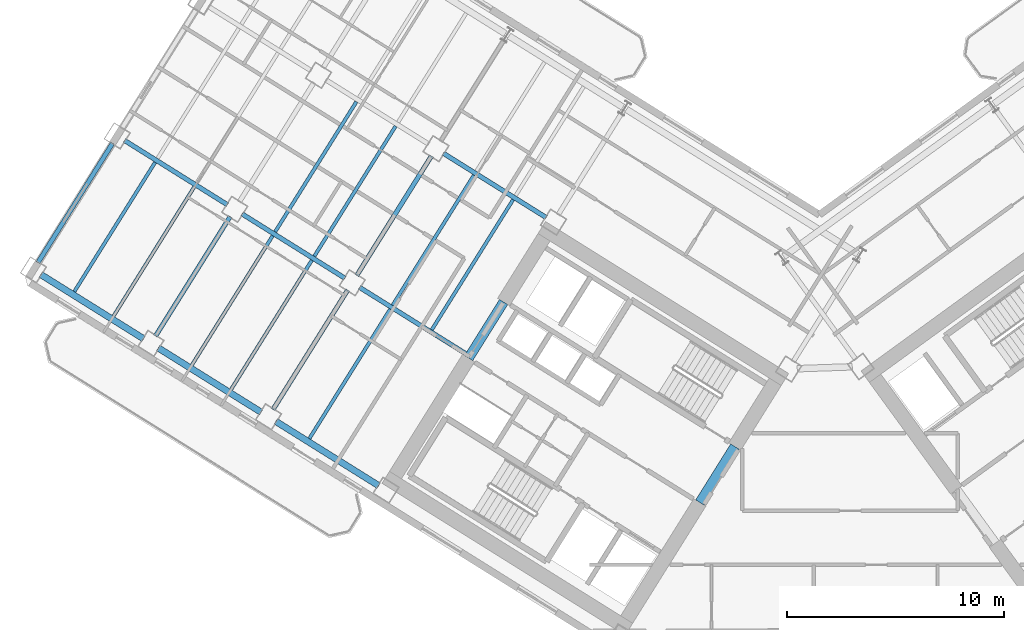
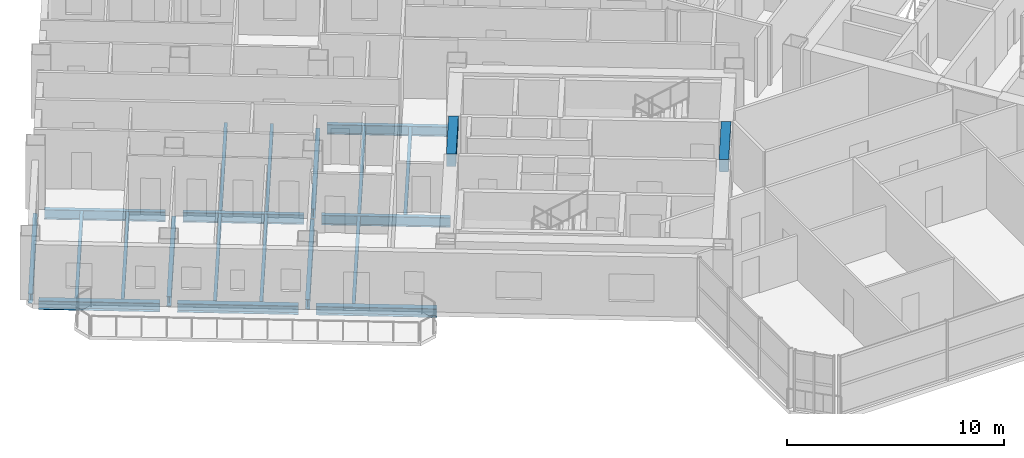
# One storey, part 5 of 21: 22 beams.
"""IFC4 building model written with IfcOpenShell, lengths in metres."""

import ifcopenshell
import ifcopenshell.guid

model = None  # the IFC model being written
_history = None  # IfcOwnerHistory: only IFC2X3 demands one
_inside = {}  # id of a spatial element -> (the spatial element, [elements in it])
_under = {}  # id of a project, library or spatial element -> (it, [spatial elements below it])
_declared = {}  # id of a project -> (the project, [libraries it declares])
_typed = {}  # id of a type object -> (the type object, [elements of that type])
_made_of = {}  # id of a material, layer set ... -> (it, [elements and type objects made of it])


def new_model(schema):
    """Start an empty IFC model of exactly this schema.

    Asked for "IFC4X3", IfcOpenShell would pick the latest addendum, in which some entities
    have other attributes; the version numbers below select the first issue.
    IFC2X3 requires an IfcOwnerHistory on every rooted entity: one is made here for all.
    """
    global model, _history
    if schema == "IFC4X3":
        model = ifcopenshell.file(schema_version=(4, 3, 0, 0))
    else:
        model = ifcopenshell.file(schema=schema)
    _inside.clear()
    _under.clear()
    _declared.clear()
    _typed.clear()
    _made_of.clear()
    _history = None
    if model.schema == "IFC2X3":
        org = make("IfcOrganization", Name="unknown")
        user = make(
            "IfcPersonAndOrganization",
            ThePerson=make("IfcPerson", FamilyName="unknown"),
            TheOrganization=org,
        )
        app = make(
            "IfcApplication",
            ApplicationDeveloper=org,
            Version="unknown",
            ApplicationFullName="unknown",
            ApplicationIdentifier="unknown",
        )
        _history = make(
            "IfcOwnerHistory",
            OwningUser=user,
            OwningApplication=app,
            ChangeAction="ADDED",
            CreationDate=0,
        )
    return model


def make(cls, **values):
    """One entity of the class cls with the attributes given. An attribute that is None is left unset."""
    return model.create_entity(
        cls, **{name: value for name, value in values.items() if value is not None}
    )


def rooted(cls, **values):
    """An entity with a GlobalId (a new one), such as an element, a storey or a relation."""
    return make(cls, GlobalId=ifcopenshell.guid.new(), OwnerHistory=_history, **values)


def si_unit(unit_type, name, prefix=None):
    """IfcSIUnit, for example si_unit("LENGTHUNIT", "METRE", prefix="MILLI")."""
    return make("IfcSIUnit", UnitType=unit_type, Prefix=prefix, Name=name)


def assignment(units):
    """IfcUnitAssignment: the units of a project."""
    return None if units is None else make("IfcUnitAssignment", Units=units)


def point(xyz):
    """IfcCartesianPoint."""
    return None if xyz is None else make("IfcCartesianPoint", Coordinates=xyz)


def direction(xyz):
    """IfcDirection."""
    return None if xyz is None else make("IfcDirection", DirectionRatios=xyz)


def frame(location, z_axis=None, x_axis=None):
    """IfcAxis2Placement3D, a coordinate frame: its origin and axes. An axis left out is left unset."""
    return make(
        "IfcAxis2Placement3D",
        Location=point(location),
        Axis=direction(z_axis),
        RefDirection=direction(x_axis),
    )


def frame_2d(location, x_axis=None):
    """IfcAxis2Placement2D, a coordinate frame in the plane: its origin and x axis."""
    return make(
        "IfcAxis2Placement2D", Location=point(location), RefDirection=direction(x_axis)
    )


def origin():
    """The frame at (0, 0, 0) with its axes left unset."""
    return frame((0.0, 0.0, 0.0))


def origin_2d():
    """The frame at (0, 0) in the plane with its x axis left unset."""
    return frame_2d((0.0, 0.0))


def place(relative_to, where):
    """IfcLocalPlacement: puts the frame where relative to a parent placement (None: the world)."""
    return make(
        "IfcLocalPlacement", PlacementRelTo=relative_to, RelativePlacement=where
    )


def context(
    kind, dimensions, precision=None, world=None, true_north=None, identifier=None
):
    """IfcGeometricRepresentationContext, for example the 3D "Model" context."""
    return make(
        "IfcGeometricRepresentationContext",
        ContextIdentifier=identifier,
        ContextType=kind,
        CoordinateSpaceDimension=dimensions,
        Precision=precision,
        WorldCoordinateSystem=world,
        TrueNorth=true_north,
    )


def subcontext(parent, identifier, kind, view, scale=None):
    """IfcGeometricRepresentationSubContext, for example "Body" below "Model"."""
    return make(
        "IfcGeometricRepresentationSubContext",
        ContextIdentifier=identifier,
        ContextType=kind,
        ParentContext=parent,
        TargetScale=scale,
        TargetView=view,
    )


def project(units=None, contexts=None):
    """IfcProject with its units and contexts."""
    return rooted(
        "IfcProject",
        Name="project",
        RepresentationContexts=contexts,
        UnitsInContext=assignment(units),
    )


def spatial(cls, under=None, at=None, **own):
    """A site, building, storey or space (cls), placed at a placement, below another one or the project."""
    s = rooted(cls, ObjectPlacement=at, **own)
    if under is not None:
        _under.setdefault(under.id(), (under, []))[1].append(s)
    return s


def profile(cls, at=None, kind="AREA", **sizes):
    """A parametric profile (cls). Its sizes go by their IFC names, for example OverallWidth=200.0."""
    return make(cls, ProfileType=kind, Position=at, **sizes)


def rectangle(**sizes):
    """IfcRectangleProfileDef."""
    return profile("IfcRectangleProfileDef", **sizes)


def i_section(**sizes):
    """IfcIShapeProfileDef."""
    return profile("IfcIShapeProfileDef", **sizes)


def extrude(swept, where, along, depth):
    """IfcExtrudedAreaSolid: the profile swept, set in the frame where, extruded along a direction by depth."""
    return make(
        "IfcExtrudedAreaSolid",
        SweptArea=swept,
        Position=where,
        ExtrudedDirection=direction(along),
        Depth=depth,
    )


def shape(context_of_items, identifier, shape_type, items):
    """IfcShapeRepresentation: the items that make up one representation, for example the "Body"."""
    return make(
        "IfcShapeRepresentation",
        ContextOfItems=context_of_items,
        RepresentationIdentifier=identifier,
        RepresentationType=shape_type,
        Items=items,
    )


def source(mapping_origin, context_of_items, identifier, shape_type, items):
    """IfcRepresentationMap: a shape defined once, which mapped items show again and again."""
    return make(
        "IfcRepresentationMap",
        MappingOrigin=mapping_origin,
        MappedRepresentation=shape(context_of_items, identifier, shape_type, items),
    )


def transform(
    local_origin,
    x_axis=None,
    y_axis=None,
    z_axis=None,
    scale=None,
    scale2=None,
    scale3=None,
    uniform=True,
):
    """IfcCartesianTransformationOperator3D, or its non-uniform kind. x_axis, y_axis, z_axis: its Axis1, 2, 3."""
    if uniform:
        return make(
            "IfcCartesianTransformationOperator3D",
            Axis1=direction(x_axis),
            Axis2=direction(y_axis),
            LocalOrigin=point(local_origin),
            Scale=scale,
            Axis3=direction(z_axis),
        )
    return make(
        "IfcCartesianTransformationOperator3DnonUniform",
        Axis1=direction(x_axis),
        Axis2=direction(y_axis),
        LocalOrigin=point(local_origin),
        Scale=scale,
        Axis3=direction(z_axis),
        Scale2=scale2,
        Scale3=scale3,
    )


def mapped(mapping_source, mapping_target):
    """IfcMappedItem: shows the shape of a source again, moved by a transform."""
    return make(
        "IfcMappedItem", MappingSource=mapping_source, MappingTarget=mapping_target
    )


def material(Name=None, Category=None):
    """IfcMaterial."""
    return make("IfcMaterial", Name=Name, Category=Category)


def material_profile(
    of_material, cross_section, Name=None, Category=None, Priority=None
):
    """IfcMaterialProfile: a cross section and its material."""
    return make(
        "IfcMaterialProfile",
        Name=Name,
        Material=of_material,
        Profile=cross_section,
        Priority=Priority,
        Category=Category,
    )


def profile_set(profiles, Name=None, composite=None):
    """IfcMaterialProfileSet."""
    return make(
        "IfcMaterialProfileSet",
        Name=Name,
        MaterialProfiles=profiles,
        CompositeProfile=composite,
    )


def made_of(thing, what):
    """Note that an element or type object is made of a material, layer set ...; save() writes the relation."""
    if what is not None:
        _made_of.setdefault(what.id(), (what, []))[1].append(thing)
    return thing


def type_object(cls, material=None, **own):
    """A type object (cls), such as IfcWallType, which elements share."""
    return made_of(rooted(cls, **own), material)


def element(
    cls,
    number,
    at=None,
    inside=None,
    cuts=None,
    type_object=None,
    material=None,
    context=None,
    identifier="Body",
    shape_type=None,
    held_by="IfcProductDefinitionShape",
    body=None,
    shapes=None,
    **own,
):
    """One element of the class cls, such as IfcWall. Its Tag is "e" and its number.

    at: its placement. inside: the storey or other place that contains it. cuts: it is an
    opening in that element (IfcRelVoidsElement). A single representation is given by context,
    identifier, shape_type and body (its items); several are given by shapes. held_by: the class
    of the entity that holds the representations. save() writes the other relations.
    """
    e = rooted(cls, Tag="e%d" % number, ObjectPlacement=at, **own)
    if body is not None:
        shapes = [shape(context, identifier, shape_type, body)]
    if shapes is not None:
        e.Representation = make(held_by, Representations=shapes)
    if inside is not None:
        _inside.setdefault(inside.id(), (inside, []))[1].append(e)
    if cuts is not None:
        rooted(
            "IfcRelVoidsElement", RelatingBuildingElement=cuts, RelatedOpeningElement=e
        )
    if type_object is not None:
        _typed.setdefault(type_object.id(), (type_object, []))[1].append(e)
    return made_of(e, material)


def aggregate(whole, parts):
    """IfcRelAggregates: a whole, such as a stair, and the parts it consists of."""
    return rooted("IfcRelAggregates", RelatingObject=whole, RelatedObjects=parts)


def save(model, path):
    """Write the relations noted so far, then the file.

    IfcRelAggregates (storeys below a building ...), IfcRelContainedInSpatialStructure (elements
    in a storey), IfcRelDefinesByType, IfcRelAssociatesMaterial and IfcRelDeclares: one each for
    every whole, place, type object, material and project.
    """
    for whole, parts in _under.values():
        aggregate(whole, parts)
    for where, things in _inside.values():
        rooted(
            "IfcRelContainedInSpatialStructure",
            RelatedElements=things,
            RelatingStructure=where,
        )
    for kind, things in _typed.values():
        rooted("IfcRelDefinesByType", RelatedObjects=things, RelatingType=kind)
    for what, things in _made_of.values():
        rooted("IfcRelAssociatesMaterial", RelatedObjects=things, RelatingMaterial=what)
    for by, libraries in _declared.values():
        rooted("IfcRelDeclares", RelatingContext=by, RelatedDefinitions=libraries)
    model.write(path)


model = new_model("IFC4")

# Units and contexts
model_context = context("Model", 3, precision=1e-05, world=origin(), true_north=direction((0.0, 1.0)))
body_context = subcontext(model_context, "Body", "Model", "MODEL_VIEW")
ifc_project = project(units=[si_unit("LENGTHUNIT", "METRE"), si_unit("AREAUNIT", "SQUARE_METRE"), si_unit("VOLUMEUNIT", "CUBIC_METRE"), si_unit("PLANEANGLEUNIT", "RADIAN"), si_unit("MASSUNIT", "GRAM", prefix="KILO")], contexts=[model_context])

# Site, building, storey
site_placement = place(None, origin())
site = spatial("IfcSite", under=ifc_project, at=site_placement, CompositionType="ELEMENT")
building_placement = place(site_placement, origin())
building = spatial("IfcBuilding", under=site, at=building_placement, Name="Tlacorven Tower", CompositionType="ELEMENT")
storey_placement = place(building_placement, frame((0.0, 0.0, 93.60009765625)))
storey = spatial("IfcBuildingStorey", under=building, at=storey_placement, Name="L23", CompositionType="ELEMENT", Elevation=93.60009765625)

# Beams
ifc_material_1 = material(Name="Concrete C60/75", Category="concrete")
ifc_material_profile_1 = material_profile(ifc_material_1, rectangle(XDim=0.449951171875, YDim=0.699951171875, at=origin_2d()), Name="RC 450X700")
ifc_profile_set_1 = profile_set([ifc_material_profile_1], Name="Concrete C60/75")
beam_type_1 = type_object("IfcBeamType", Name="BM-LNT-700", PredefinedType="LINTEL", material=ifc_profile_set_1)
shared_shape_1 = source(origin(), body_context, "Body", "SweptSolid", [
    extrude(rectangle(XDim=0.449951171875, YDim=0.699951171875, at=origin_2d()), origin(), (0.0, 0.0, 1.0), 3.050048828125),
])
beam_1_placement = place(storey_placement, frame((38.2998046875, 20.890625, 3.0), z_axis=(-0.529984549635, -0.848007297815, 0.0), x_axis=(0.848007297815, -0.529984549635, 0.0)))
element("IfcBeam", 1, at=beam_1_placement, inside=storey, type_object=beam_type_1, Name="L23 W core coupling lintel beam E1", PredefinedType="LINTEL", context=body_context, shape_type="MappedRepresentation", body=[
    mapped(shared_shape_1, transform((0.0, 0.0, 0.0), scale=1.0)),
])
shared_shape_2 = source(origin(), body_context, "Body", "SweptSolid", [
    extrude(rectangle(XDim=0.449951171875, YDim=0.699951171875, at=origin_2d()), origin(), (0.0, 0.0, 1.0), 3.0498046875),
])
beam_2_placement = place(storey_placement, frame((27.622802734375, 27.562255859375, 3.0), z_axis=(-0.529926983584, -0.848043272522, 0.0), x_axis=(0.848043272522, -0.529926983584, 0.0)))
element("IfcBeam", 2, at=beam_2_placement, inside=storey, type_object=beam_type_1, Name="L23 W core coupling lintel beam E2", PredefinedType="LINTEL", context=body_context, shape_type="MappedRepresentation", body=[
    mapped(shared_shape_2, transform((0.0, 0.0, 0.0), scale=1.0)),
])
ifc_material_2 = material(Name="Steel S355J2", Category="steel")
ifc_material_profile_2 = material_profile(ifc_material_2, i_section(OverallWidth=0.2099609375, OverallDepth=0.550048828125, WebThickness=0.010986328125, FlangeThickness=0.01708984375, at=origin_2d()), Name="IPE 550")
ifc_profile_set_2 = profile_set([ifc_material_profile_2], Name="Steel S355J2")
beam_type_2 = type_object("IfcBeamType", Name="BM-TWR-550", PredefinedType="BEAM", material=ifc_profile_set_2)
shared_shape_3 = source(origin(), body_context, "Body", "SweptSolid", [
    extrude(i_section(OverallWidth=0.2099609375, OverallDepth=0.550048828125, WebThickness=0.010986328125, FlangeThickness=0.01708984375, at=origin_2d()), origin(), (0.0, 0.0, 1.0), 5.599853515625),
])
for number, where, z_axis, x_axis, name in (
    (3, (29.588623046875, 31.46337890625, -0.525146484375), (-0.848047285686, 0.529920561254, 0.0), (-0.529920561254, -0.848047285686, 0.0), "L23 beam BM-L23-WL2-3"),
    (4, (20.292724609375, 28.6640625, -0.525146484375), (-0.848047285686, 0.529920561254, 0.0), (-0.529920561254, -0.848047285686, 0.0), "L23 beam BM-L23-WL3-4"),
):
    element("IfcBeam", number, at=place(storey_placement, frame(where, z_axis=z_axis, x_axis=x_axis)), inside=storey, type_object=beam_type_2, Name=name, PredefinedType="BEAM", context=body_context, shape_type="MappedRepresentation", body=[
        mapped(shared_shape_3, transform((0.0, 0.0, 0.0), scale=1.0)),
    ])
shared_shape_4 = source(origin(), body_context, "Body", "SweptSolid", [
    extrude(i_section(OverallWidth=0.2099609375, OverallDepth=0.550048828125, WebThickness=0.010986328125, FlangeThickness=0.01708984375, at=origin_2d()), origin(), (0.0, 0.0, 1.0), 5.960205078125),
])
beam_3_placement = place(storey_placement, frame((26.025634765625, 25.081787109375, -0.525146484375), z_axis=(-0.848042024898, 0.529928980153, 0.0), x_axis=(-0.529928980153, -0.848042024898, 0.0)))
element("IfcBeam", 5, at=beam_3_placement, inside=storey, type_object=beam_type_2, Name="L23 beam BM-L23-WL3-3", PredefinedType="BEAM", context=body_context, shape_type="MappedRepresentation", body=[
    mapped(shared_shape_4, transform((0.0, 0.0, 0.0), scale=1.0)),
])
shared_shape_5 = source(origin(), body_context, "Body", "SweptSolid", [
    extrude(i_section(OverallWidth=0.2099609375, OverallDepth=0.550048828125, WebThickness=0.010986328125, FlangeThickness=0.01708984375, at=origin_2d()), origin(), (0.0, 0.0, 1.0), 5.60009765625),
])
beam_4_placement = place(storey_placement, frame((14.865234375, 32.055419921875, -0.525146484375), z_axis=(-0.848027693204, 0.529951914384, 0.0), x_axis=(-0.529951914384, -0.848027693204, 0.0)))
element("IfcBeam", 6, at=beam_4_placement, inside=storey, type_object=beam_type_2, Name="L23 beam BM-L23-WL3-5", PredefinedType="BEAM", context=body_context, shape_type="MappedRepresentation", body=[
    mapped(shared_shape_5, transform((0.0, 0.0, 0.0), scale=1.0)),
])
ifc_material_profile_3 = material_profile(ifc_material_2, i_section(OverallWidth=0.300048828125, OverallDepth=0.489990234375, WebThickness=0.011962890625, FlangeThickness=0.02294921875, at=origin_2d()), Name="HEA 500")
ifc_profile_set_3 = profile_set([ifc_material_profile_3], Name="Steel S355J2")
beam_type_3 = type_object("IfcBeamType", Name="BM-SPN-500", PredefinedType="SPANDREL", material=ifc_profile_set_3)
shared_shape_6 = source(origin(), body_context, "Body", "SweptSolid", [
    extrude(i_section(OverallWidth=0.300048828125, OverallDepth=0.489990234375, WebThickness=0.011962890625, FlangeThickness=0.02294921875, at=origin_2d()), origin(), (0.0, 0.0, 1.0), 5.599853515625),
])
for number, where, z_axis, x_axis, name in (
    (7, (21.851806640625, 19.081787109375, -0.4951171875), (-0.848047285686, 0.529920561254, 0.0), (-0.529920561254, -0.848047285686, 0.0), "L23 beam BM-L23-WL4-3"),
    (8, (16.42431640625, 22.473388671875, -0.4951171875), (-0.848047285686, 0.529920561254, 0.0), (-0.529920561254, -0.848047285686, 0.0), "L23 beam BM-L23-WL4-4"),
    (9, (10.996826171875, 25.86474609375, -0.4951171875), (-0.848047285686, 0.529920561254, 0.0), (-0.529920561254, -0.848047285686, 0.0), "L23 beam BM-L23-WL4-5"),
):
    element("IfcBeam", number, at=place(storey_placement, frame(where, z_axis=z_axis, x_axis=x_axis)), inside=storey, type_object=beam_type_3, Name=name, PredefinedType="SPANDREL", context=body_context, shape_type="MappedRepresentation", body=[
        mapped(shared_shape_6, transform((0.0, 0.0, 0.0), scale=1.0)),
    ])
shared_shape_7 = source(origin(), body_context, "Body", "SweptSolid", [
    extrude(i_section(OverallWidth=0.2099609375, OverallDepth=0.550048828125, WebThickness=0.010986328125, FlangeThickness=0.01708984375, at=origin_2d()), origin(), (0.0, 0.0, 1.0), 6.500244140625),
])
beam_5_placement = place(storey_placement, frame((24.28857421875, 34.3037109375, -0.525146484375), z_axis=(-0.529921287515, -0.848046831866, 0.0), x_axis=(0.848046831866, -0.529921287515, 0.0)))
element("IfcBeam", 10, at=beam_5_placement, inside=storey, type_object=beam_type_2, Name="L23 beam BM-L23-WT4-2", PredefinedType="BEAM", context=body_context, shape_type="MappedRepresentation", body=[
    mapped(shared_shape_7, transform((0.0, 0.0, 0.0), scale=1.0)),
])
shared_shape_8 = source(origin(), body_context, "Body", "SweptSolid", [
    extrude(i_section(OverallWidth=0.2099609375, OverallDepth=0.550048828125, WebThickness=0.010986328125, FlangeThickness=0.01708984375, at=origin_2d()), origin(), (0.0, 0.0, 1.0), 6.5),
])
for number, where, z_axis, x_axis, name in (
    (11, (20.420166015625, 28.11279296875, -0.525146484375), (-0.529938166933, -0.848036284146, 0.0), (0.848036284146, -0.529938166933, 0.0), "L23 beam BM-L23-WT4-3"),
    (12, (14.992431640625, 31.50439453125, -0.525146484375), (-0.529894274829, -0.848063710757, 0.0), (0.848063710757, -0.529894274829, 0.0), "L23 beam BM-L23-WT5-3"),
):
    element("IfcBeam", number, at=place(storey_placement, frame(where, z_axis=z_axis, x_axis=x_axis)), inside=storey, type_object=beam_type_2, Name=name, PredefinedType="BEAM", context=body_context, shape_type="MappedRepresentation", body=[
        mapped(shared_shape_8, transform((0.0, 0.0, 0.0), scale=1.0)),
    ])
shared_shape_9 = source(origin(), body_context, "Body", "SweptSolid", [
    extrude(i_section(OverallWidth=0.2099609375, OverallDepth=0.550048828125, WebThickness=0.010986328125, FlangeThickness=0.01708984375, at=origin_2d()), origin(), (0.0, 0.0, 1.0), 6.499755859375),
])
beam_6_placement = place(storey_placement, frame((9.56494140625, 34.895751953125, -0.525146484375), z_axis=(-0.529911154058, -0.848053163902, 0.0), x_axis=(0.848053163902, -0.529911154058, 0.0)))
element("IfcBeam", 13, at=beam_6_placement, inside=storey, type_object=beam_type_2, Name="L23 beam BM-L23-WT6-3", PredefinedType="BEAM", context=body_context, shape_type="MappedRepresentation", body=[
    mapped(shared_shape_9, transform((0.0, 0.0, 0.0), scale=1.0)),
])
ifc_material_profile_4 = material_profile(ifc_material_2, i_section(OverallWidth=0.159912109375, OverallDepth=0.330078125, WebThickness=0.007568359375, FlangeThickness=0.011474609375, at=origin_2d()), Name="IPE 330")
ifc_profile_set_4 = profile_set([ifc_material_profile_4], Name="Steel S355J2")
beam_type_4 = type_object("IfcBeamType", Name="BM-JST-330", PredefinedType="JOIST", material=ifc_profile_set_4)
shared_shape_10 = source(origin(), body_context, "Body", "SweptSolid", [
    extrude(i_section(OverallWidth=0.159912109375, OverallDepth=0.330078125, WebThickness=0.007568359375, FlangeThickness=0.011474609375, at=origin_2d()), origin(), (0.0, 0.0, 1.0), 7.080078125),
])
for number, where, z_axis, x_axis, name in (
    (14, (28.060546875, 32.28857421875, -0.4150390625), (-0.529933847046, -0.848038983629, 0.0), (0.848038983629, -0.529933847046, 0.0), "L23 beam BM-L23-WJ3-2-1"),
    (15, (26.251220703125, 33.419189453125, -0.4150390625), (-0.529893550998, -0.848064163027, 0.0), (0.848064163027, -0.529893550998, 0.0), "L23 beam BM-L23-WJ3-2-2"),
    (16, (22.633056640625, 35.679931640625, -0.4150390625), (-0.529933847046, -0.848038983629, 0.0), (0.848038983629, -0.529933847046, 0.0), "L23 beam BM-L23-WJ4-2-1"),
):
    element("IfcBeam", number, at=place(storey_placement, frame(where, z_axis=z_axis, x_axis=x_axis)), inside=storey, type_object=beam_type_4, Name=name, PredefinedType="JOIST", context=body_context, shape_type="MappedRepresentation", body=[
        mapped(shared_shape_10, transform((0.0, 0.0, 0.0), scale=1.0)),
    ])
shared_shape_11 = source(origin(), body_context, "Body", "SweptSolid", [
    extrude(i_section(OverallWidth=0.159912109375, OverallDepth=0.330078125, WebThickness=0.007568359375, FlangeThickness=0.011474609375, at=origin_2d()), origin(), (0.0, 0.0, 1.0), 7.03515625),
])
for number, where, z_axis, x_axis, name in (
    (17, (22.3828125, 27.228271484375, -0.4150390625), (-0.529920952588, -0.848047041153, 0.0), (0.848047041153, -0.529920952588, 0.0), "L23 beam BM-L23-WJ3-3-2"),
    (18, (18.7646484375, 29.4892578125, -0.4150390625), (-0.529920952588, -0.848047041153, 0.0), (0.848047041153, -0.529920952588, 0.0), "L23 beam BM-L23-WJ4-3-1"),
    (19, (16.955322265625, 30.619873046875, -0.4150390625), (-0.529920952588, -0.848047041153, 0.0), (0.848047041153, -0.529920952588, 0.0), "L23 beam BM-L23-WJ4-3-2"),
    (20, (13.337158203125, 32.880859375, -0.4150390625), (-0.529920952588, -0.848047041153, 0.0), (0.848047041153, -0.529920952588, 0.0), "L23 beam BM-L23-WJ5-3-1"),
    (21, (11.52783203125, 34.01123046875, -0.4150390625), (-0.529920952588, -0.848047041153, 0.0), (0.848047041153, -0.529920952588, 0.0), "L23 beam BM-L23-WJ5-3-2"),
):
    element("IfcBeam", number, at=place(storey_placement, frame(where, z_axis=z_axis, x_axis=x_axis)), inside=storey, type_object=beam_type_4, Name=name, PredefinedType="JOIST", context=body_context, shape_type="MappedRepresentation", body=[
        mapped(shared_shape_11, transform((0.0, 0.0, 0.0), scale=1.0)),
    ])
shared_shape_12 = source(origin(), body_context, "Body", "SweptSolid", [
    extrude(i_section(OverallWidth=0.159912109375, OverallDepth=0.330078125, WebThickness=0.007568359375, FlangeThickness=0.011474609375, at=origin_2d()), origin(), (0.0, 0.0, 1.0), 7.079833984375),
])
beam_7_placement = place(storey_placement, frame((20.82373046875, 36.810546875, -0.4150390625), z_axis=(-0.529909047265, -0.848054480341, 0.0), x_axis=(0.848054480341, -0.529909047265, 0.0)))
element("IfcBeam", 22, at=beam_7_placement, inside=storey, type_object=beam_type_4, Name="L23 beam BM-L23-WJ4-2-2", PredefinedType="JOIST", context=body_context, shape_type="MappedRepresentation", body=[
    mapped(shared_shape_12, transform((0.0, 0.0, 0.0), scale=1.0)),
])

save(model, "model.ifc")
